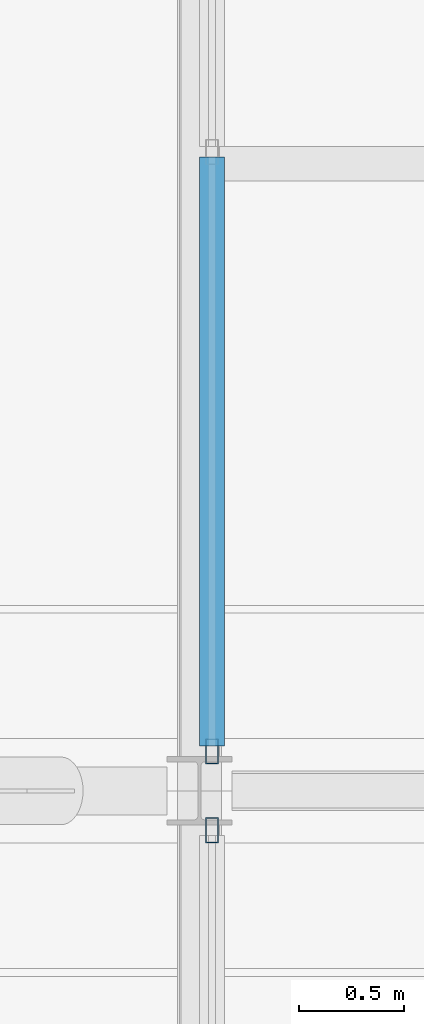
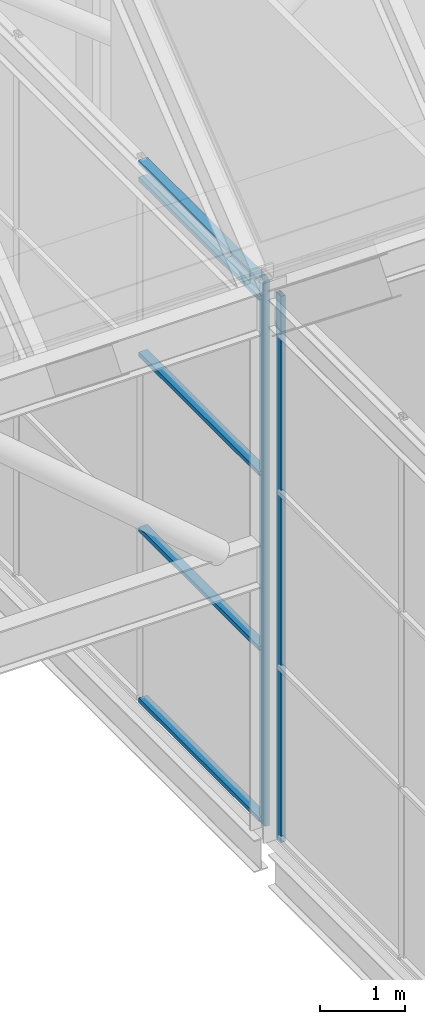
# One storey, part 79 of 144: 7 members, 2 elements without a shape of their own.
"""IFC4 building model written with IfcOpenShell, lengths in metres."""

from ifc_helpers import new_model, si_unit, direction, frame, origin, origin_2d, place, context, subcontext, project, spatial, hollow_rectangle, extrude, material, layer, layer_set, material_profile, profile_set, type_object, element, aggregate, save


model = new_model("IFC4")

# Units and contexts
model_context = context("Model", 3, precision=1e-05, world=origin(), true_north=direction((0.0, 1.0)))
body_context = subcontext(model_context, "Body", "Model", "MODEL_VIEW")
ifc_project = project(units=[si_unit("LENGTHUNIT", "METRE"), si_unit("AREAUNIT", "SQUARE_METRE"), si_unit("VOLUMEUNIT", "CUBIC_METRE"), si_unit("PLANEANGLEUNIT", "RADIAN"), si_unit("MASSUNIT", "GRAM", prefix="KILO")], contexts=[model_context])

# Site, building, storey
site_placement = place(None, origin())
site = spatial("IfcSite", under=ifc_project, at=site_placement, CompositionType="ELEMENT")
building_placement = place(site_placement, origin())
building = spatial("IfcBuilding", under=site, at=building_placement, Name="Shorebreak Coast Museum", CompositionType="ELEMENT")
storey_placement = place(building_placement, frame((0.0, 0.0, 36.0)))
storey = spatial("IfcBuildingStorey", under=building, at=storey_placement, Name="L06", CompositionType="ELEMENT", Elevation=36.0)

# Curtain wall, member
ifc_material_1 = material(Name="Aluminium", Category="aluminium")
ifc_layer = layer(ifc_material_1, 0.1201171875)
ifc_layer_set = layer_set([ifc_layer], Name="Aluminium")
curtain_wall_type = type_object("IfcCurtainWallType", Name="Atrium fire screen", PredefinedType="NOTDEFINED", material=ifc_layer_set)
curtain_wall_1_placement = place(storey_placement, origin())
curtain_wall_1 = element("IfcCurtainWall", 1, at=curtain_wall_1_placement, inside=storey, type_object=curtain_wall_type, Name="Atrium screen L06 E 91", PredefinedType="NOTDEFINED")
ifc_material_2 = material(Name="Aluminium", Category="aluminium")
ifc_material_profile_1 = material_profile(ifc_material_2, hollow_rectangle(XDim=0.06005859375, YDim=0.1201171875, WallThickness=0.00341796875, at=origin_2d()), Name="AL 120x60 RHS")
ifc_profile_set_1 = profile_set([ifc_material_profile_1], Name="Aluminium")
member_type_1 = type_object("IfcMemberType", Name="Screen mullion 50 x 120", PredefinedType="MULLION", material=ifc_profile_set_1)
member_1_placement = place(storey_placement, frame((108.06005859375, 71.811279296875, 0.0), z_axis=(0.0, 0.0, 1.0), x_axis=(-1.0, 0.0, 0.0)))
member_1 = element("IfcMember", 2, at=member_1_placement, type_object=member_type_1, Name="CW5 mullion 4", PredefinedType="MULLION", context=body_context, shape_type="SweptSolid", body=[
    extrude(hollow_rectangle(XDim=0.06005859375, YDim=0.1201171875, WallThickness=0.00341796875, at=origin_2d()), origin(), (0.0, 0.0, 1.0), 7.800048828125),
])
aggregate(curtain_wall_1, [member_1])

# Curtain wall, members
curtain_wall_2_placement = place(storey_placement, origin())
curtain_wall_2 = element("IfcCurtainWall", 3, at=curtain_wall_2_placement, inside=storey, type_object=curtain_wall_type, Name="Atrium screen L06 E 92", PredefinedType="NOTDEFINED")
member_2_placement = place(storey_placement, frame((108.06005859375, 72.188720703125, 0.0), z_axis=(0.0, 0.0, 1.0), x_axis=(-1.0, 0.0, 0.0)))
member_2 = element("IfcMember", 4, at=member_2_placement, type_object=member_type_1, Name="CW6 mullion 1", PredefinedType="MULLION", context=body_context, shape_type="SweptSolid", body=[
    extrude(hollow_rectangle(XDim=0.06005859375, YDim=0.1201171875, WallThickness=0.00341796875, at=origin_2d()), origin(), (0.0, 0.0, 1.0), 7.800048828125),
])
ifc_material_3 = material(Name="Aluminium", Category="aluminium")
ifc_material_profile_2 = material_profile(ifc_material_3, hollow_rectangle(XDim=0.1201171875, YDim=0.06005859375, WallThickness=0.00341796875, at=origin_2d()), Name="AL 60x120 RHS")
ifc_profile_set_2 = profile_set([ifc_material_profile_2], Name="Aluminium")
member_type_2 = type_object("IfcMemberType", Name="Screen transom 120 x 50", PredefinedType="USERDEFINED", material=ifc_profile_set_2)
member_3_placement = place(storey_placement, frame((108.06005859375, 72.213623046875, 0.06005859375), z_axis=(0.0, 1.0, 0.0), x_axis=(-1.0, 0.0, 0.0)))
member_3 = element("IfcMember", 5, at=member_3_placement, type_object=member_type_2, Name="CW6 transom 1.1", ObjectType="TRANSOM", PredefinedType="USERDEFINED", context=body_context, shape_type="SweptSolid", body=[
    extrude(hollow_rectangle(XDim=0.1201171875, YDim=0.06005859375, WallThickness=0.00341796875, at=origin_2d()), origin(), (0.0, 0.0, 1.0), 2.818115234375),
])
member_4_placement = place(storey_placement, frame((108.06005859375, 72.213623046875, 2.5), z_axis=(0.0, 1.0, 0.0), x_axis=(-1.0, 0.0, 0.0)))
member_4 = element("IfcMember", 6, at=member_4_placement, type_object=member_type_2, Name="CW6 transom 1.2", ObjectType="TRANSOM", PredefinedType="USERDEFINED", context=body_context, shape_type="SweptSolid", body=[
    extrude(hollow_rectangle(XDim=0.1201171875, YDim=0.06005859375, WallThickness=0.00341796875, at=origin_2d()), origin(), (0.0, 0.0, 1.0), 2.818115234375),
])
member_5_placement = place(storey_placement, frame((108.06005859375, 72.213623046875, 5.0), z_axis=(0.0, 1.0, 0.0), x_axis=(-1.0, 0.0, 0.0)))
member_5 = element("IfcMember", 7, at=member_5_placement, type_object=member_type_2, Name="CW6 transom 1.3", ObjectType="TRANSOM", PredefinedType="USERDEFINED", context=body_context, shape_type="SweptSolid", body=[
    extrude(hollow_rectangle(XDim=0.1201171875, YDim=0.06005859375, WallThickness=0.00341796875, at=origin_2d()), origin(), (0.0, 0.0, 1.0), 2.818115234375),
])
member_6_placement = place(storey_placement, frame((108.06005859375, 72.213623046875, 7.5), z_axis=(0.0, 1.0, 0.0), x_axis=(-1.0, 0.0, 0.0)))
member_6 = element("IfcMember", 8, at=member_6_placement, type_object=member_type_2, Name="CW6 transom 1.4", ObjectType="TRANSOM", PredefinedType="USERDEFINED", context=body_context, shape_type="SweptSolid", body=[
    extrude(hollow_rectangle(XDim=0.1201171875, YDim=0.06005859375, WallThickness=0.00341796875, at=origin_2d()), origin(), (0.0, 0.0, 1.0), 2.818115234375),
])
member_7_placement = place(storey_placement, frame((108.06005859375, 72.213623046875, 7.739990234375), z_axis=(0.0, 1.0, 0.0), x_axis=(-1.0, 0.0, 0.0)))
member_7 = element("IfcMember", 9, at=member_7_placement, type_object=member_type_2, Name="CW6 transom 1.5", ObjectType="TRANSOM", PredefinedType="USERDEFINED", context=body_context, shape_type="SweptSolid", body=[
    extrude(hollow_rectangle(XDim=0.1201171875, YDim=0.06005859375, WallThickness=0.00341796875, at=origin_2d()), origin(), (0.0, 0.0, 1.0), 2.818115234375),
])
aggregate(curtain_wall_2, [member_2, member_3, member_4, member_5, member_6, member_7])

save(model, "model.ifc")
